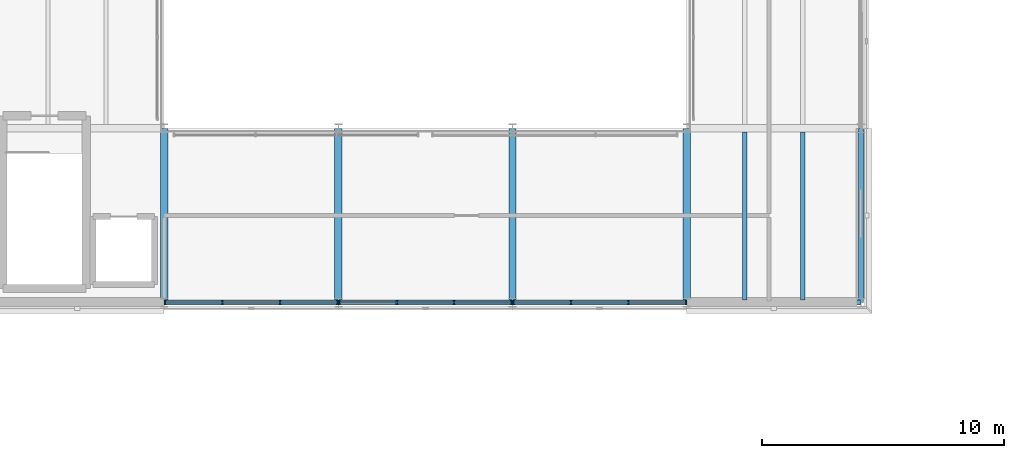
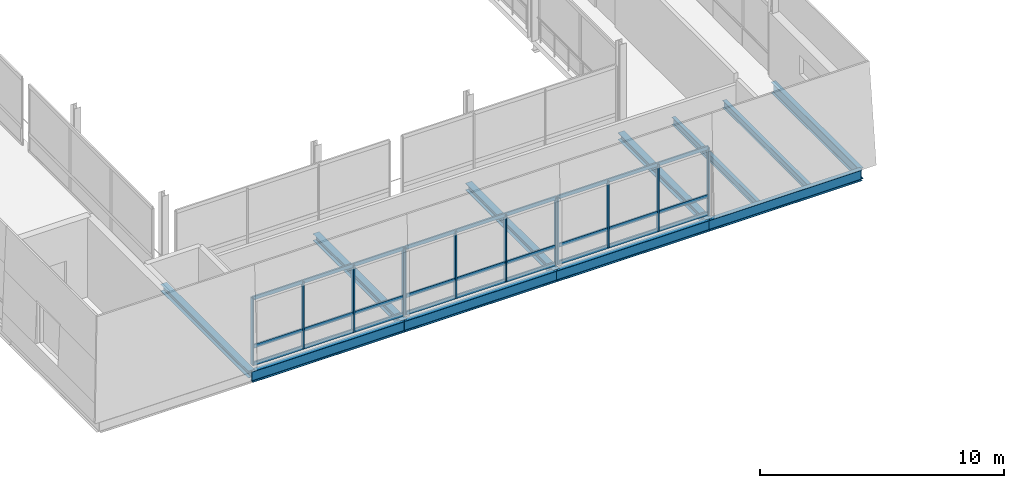
# One storey, part 16 of 91: 21 members, 11 beams, 3 elements without a shape of their own.
"""IFC4 building model written with IfcOpenShell, lengths in metres."""

from ifc_helpers import new_model, si_unit, direction, frame, origin, origin_2d, place, context, subcontext, project, spatial, rectangle, i_section, extrude, material, layer, layer_set, material_profile, profile_set, type_object, element, aggregate, save


model = new_model("IFC4")

# Units and contexts
model_context = context("Model", 3, precision=1e-05, world=origin(), true_north=direction((0.0, 1.0)))
body_context = subcontext(model_context, "Body", "Model", "MODEL_VIEW")
ifc_project = project(units=[si_unit("LENGTHUNIT", "METRE"), si_unit("AREAUNIT", "SQUARE_METRE"), si_unit("VOLUMEUNIT", "CUBIC_METRE"), si_unit("PLANEANGLEUNIT", "RADIAN"), si_unit("MASSUNIT", "GRAM", prefix="KILO")], contexts=[model_context])

# Site, building, storey
site_placement = place(None, origin())
site = spatial("IfcSite", under=ifc_project, at=site_placement, CompositionType="ELEMENT")
building_placement = place(site_placement, origin())
building = spatial("IfcBuilding", under=site, at=building_placement, Name="Narikvali Park Central Library", CompositionType="ELEMENT")
storey_placement = place(building_placement, frame((0.0, 0.0, 14.39990234375)))
storey = spatial("IfcBuildingStorey", under=building, at=storey_placement, Name="L03", CompositionType="ELEMENT", Elevation=14.39990234375)

# Curtain wall, members
ifc_material_1 = material(Name="Anodised Bronze Aluminium", Category="aluminium")
ifc_layer = layer(ifc_material_1, 0.219970703125, Name="Anodised Bronze Aluminium")
ifc_layer_set = layer_set([ifc_layer], Name="Anodised Bronze Aluminium")
curtain_wall_type = type_object("IfcCurtainWallType", Name="Rotunda Drum Clerestory Curtain Wall", PredefinedType="NOTDEFINED", material=ifc_layer_set)
curtain_wall_1_placement = place(storey_placement, origin())
curtain_wall_1 = element("IfcCurtainWall", 1, at=curtain_wall_1_placement, inside=storey, type_object=curtain_wall_type, Name="Rotunda Drum Clerestory Curtain Wall CW-V1-L03-S-02", PredefinedType="NOTDEFINED")
ifc_material_profile_1 = material_profile(ifc_material_1, rectangle(XDim=0.074951171875, YDim=0.179931640625, at=origin_2d()), Name="CW TRANSOM 75x180")
ifc_profile_set_1 = profile_set([ifc_material_profile_1], Name="Anodised Bronze Aluminium")
member_type_1 = type_object("IfcMemberType", Name="Curtain Wall Heavy Transom 75x180", PredefinedType="USERDEFINED", material=ifc_profile_set_1)
member_1_placement = place(storey_placement, frame((72.0380859375, 57.60009765625, 0.030029296875), z_axis=(1.0, 0.0, 0.0), x_axis=(0.0, 1.0, 0.0)))
member_1 = element("IfcMember", 2, at=member_1_placement, type_object=member_type_1, Name="CW-V1-L03-S-02 Transom 00", ObjectType="TRANSOM", PredefinedType="USERDEFINED", context=body_context, shape_type="SweptSolid", body=[
    extrude(rectangle(XDim=0.074951171875, YDim=0.179931640625, at=origin_2d()), origin(), (0.0, 0.0, 1.0), 7.1240234375),
])
member_2_placement = place(storey_placement, frame((72.0380859375, 57.60009765625, 0.900146484375), z_axis=(1.0, 0.0, 0.0), x_axis=(0.0, 1.0, 0.0)))
member_2 = element("IfcMember", 3, at=member_2_placement, type_object=member_type_1, Name="CW-V1-L03-S-02 Transom 01", ObjectType="TRANSOM", PredefinedType="USERDEFINED", context=body_context, shape_type="SweptSolid", body=[
    extrude(rectangle(XDim=0.074951171875, YDim=0.179931640625, at=origin_2d()), origin(), (0.0, 0.0, 1.0), 7.1240234375),
])
member_3_placement = place(storey_placement, frame((72.0380859375, 57.60009765625, 3.31005859375), z_axis=(1.0, 0.0, 0.0), x_axis=(0.0, 1.0, 0.0)))
member_3 = element("IfcMember", 4, at=member_3_placement, type_object=member_type_1, Name="CW-V1-L03-S-02 Transom 02", ObjectType="TRANSOM", PredefinedType="USERDEFINED", context=body_context, shape_type="SweptSolid", body=[
    extrude(rectangle(XDim=0.074951171875, YDim=0.179931640625, at=origin_2d()), origin(), (0.0, 0.0, 1.0), 7.1240234375),
])

curtain_wall_2_placement = place(storey_placement, origin())
curtain_wall_2 = element("IfcCurtainWall", 5, at=curtain_wall_2_placement, inside=storey, type_object=curtain_wall_type, Name="Rotunda Drum Clerestory Curtain Wall CW-V1-L03-S-03", PredefinedType="NOTDEFINED")
member_4_placement = place(storey_placement, frame((79.238037109375, 57.60009765625, 0.030029296875), z_axis=(1.0, 0.0, 0.0), x_axis=(0.0, 1.0, 0.0)))
member_4 = element("IfcMember", 6, at=member_4_placement, type_object=member_type_1, Name="CW-V1-L03-S-03 Transom 00", ObjectType="TRANSOM", PredefinedType="USERDEFINED", context=body_context, shape_type="SweptSolid", body=[
    extrude(rectangle(XDim=0.074951171875, YDim=0.179931640625, at=origin_2d()), origin(), (0.0, 0.0, 1.0), 7.1240234375),
])
member_5_placement = place(storey_placement, frame((79.238037109375, 57.60009765625, 0.900146484375), z_axis=(1.0, 0.0, 0.0), x_axis=(0.0, 1.0, 0.0)))
member_5 = element("IfcMember", 7, at=member_5_placement, type_object=member_type_1, Name="CW-V1-L03-S-03 Transom 01", ObjectType="TRANSOM", PredefinedType="USERDEFINED", context=body_context, shape_type="SweptSolid", body=[
    extrude(rectangle(XDim=0.074951171875, YDim=0.179931640625, at=origin_2d()), origin(), (0.0, 0.0, 1.0), 7.1240234375),
])
member_6_placement = place(storey_placement, frame((79.238037109375, 57.60009765625, 3.31005859375), z_axis=(1.0, 0.0, 0.0), x_axis=(0.0, 1.0, 0.0)))
member_6 = element("IfcMember", 8, at=member_6_placement, type_object=member_type_1, Name="CW-V1-L03-S-03 Transom 02", ObjectType="TRANSOM", PredefinedType="USERDEFINED", context=body_context, shape_type="SweptSolid", body=[
    extrude(rectangle(XDim=0.074951171875, YDim=0.179931640625, at=origin_2d()), origin(), (0.0, 0.0, 1.0), 7.1240234375),
])

curtain_wall_3_placement = place(storey_placement, origin())
curtain_wall_3 = element("IfcCurtainWall", 9, at=curtain_wall_3_placement, inside=storey, type_object=curtain_wall_type, Name="Rotunda Drum Clerestory Curtain Wall CW-V1-L03-S-04", PredefinedType="NOTDEFINED")
member_7_placement = place(storey_placement, frame((86.43798828125, 57.60009765625, 0.030029296875), z_axis=(1.0, 0.0, 0.0), x_axis=(0.0, 1.0, 0.0)))
member_7 = element("IfcMember", 10, at=member_7_placement, type_object=member_type_1, Name="CW-V1-L03-S-04 Transom 00", ObjectType="TRANSOM", PredefinedType="USERDEFINED", context=body_context, shape_type="SweptSolid", body=[
    extrude(rectangle(XDim=0.074951171875, YDim=0.179931640625, at=origin_2d()), origin(), (0.0, 0.0, 1.0), 7.1240234375),
])
member_8_placement = place(storey_placement, frame((86.43798828125, 57.60009765625, 0.900146484375), z_axis=(1.0, 0.0, 0.0), x_axis=(0.0, 1.0, 0.0)))
member_8 = element("IfcMember", 11, at=member_8_placement, type_object=member_type_1, Name="CW-V1-L03-S-04 Transom 01", ObjectType="TRANSOM", PredefinedType="USERDEFINED", context=body_context, shape_type="SweptSolid", body=[
    extrude(rectangle(XDim=0.074951171875, YDim=0.179931640625, at=origin_2d()), origin(), (0.0, 0.0, 1.0), 7.1240234375),
])
member_9_placement = place(storey_placement, frame((86.43798828125, 57.60009765625, 3.31005859375), z_axis=(1.0, 0.0, 0.0), x_axis=(0.0, 1.0, 0.0)))
member_9 = element("IfcMember", 12, at=member_9_placement, type_object=member_type_1, Name="CW-V1-L03-S-04 Transom 02", ObjectType="TRANSOM", PredefinedType="USERDEFINED", context=body_context, shape_type="SweptSolid", body=[
    extrude(rectangle(XDim=0.074951171875, YDim=0.179931640625, at=origin_2d()), origin(), (0.0, 0.0, 1.0), 7.1240234375),
])

# Member
ifc_material_profile_2 = material_profile(ifc_material_1, rectangle(XDim=0.06494140625, YDim=0.179931640625, at=origin_2d()), Name="CW MULLION 65x180")
ifc_profile_set_2 = profile_set([ifc_material_profile_2], Name="Anodised Bronze Aluminium")
member_type_2 = type_object("IfcMemberType", Name="Curtain Wall Mullion 65x180", PredefinedType="MULLION", material=ifc_profile_set_2)
member_10_placement = place(storey_placement, frame((72.0380859375, 57.60009765625, -0.010009765625), z_axis=(0.0, 0.0, 1.0), x_axis=(1.0, 0.0, 0.0)))
member_10 = element("IfcMember", 13, at=member_10_placement, type_object=member_type_2, Name="CW-V1-L03-S-02 Mullion 00", PredefinedType="MULLION", context=body_context, shape_type="SweptSolid", body=[
    extrude(rectangle(XDim=0.06494140625, YDim=0.179931640625, at=origin_2d()), origin(), (0.0, 0.0, 1.0), 3.35009765625),
])

member_11_placement = place(storey_placement, frame((74.41259765625, 57.60009765625, -0.010009765625), z_axis=(0.0, 0.0, 1.0), x_axis=(1.0, 0.0, 0.0)))
member_11 = element("IfcMember", 14, at=member_11_placement, type_object=member_type_2, Name="CW-V1-L03-S-02 Mullion 01", PredefinedType="MULLION", context=body_context, shape_type="SweptSolid", body=[
    extrude(rectangle(XDim=0.06494140625, YDim=0.179931640625, at=origin_2d()), origin(), (0.0, 0.0, 1.0), 3.35009765625),
])

member_12_placement = place(storey_placement, frame((76.787353515625, 57.60009765625, -0.010009765625), z_axis=(0.0, 0.0, 1.0), x_axis=(1.0, 0.0, 0.0)))
member_12 = element("IfcMember", 15, at=member_12_placement, type_object=member_type_2, Name="CW-V1-L03-S-02 Mullion 02", PredefinedType="MULLION", context=body_context, shape_type="SweptSolid", body=[
    extrude(rectangle(XDim=0.06494140625, YDim=0.179931640625, at=origin_2d()), origin(), (0.0, 0.0, 1.0), 3.35009765625),
])

member_13_placement = place(storey_placement, frame((79.162109375, 57.60009765625, -0.010009765625), z_axis=(0.0, 0.0, 1.0), x_axis=(1.0, 0.0, 0.0)))
member_13 = element("IfcMember", 16, at=member_13_placement, type_object=member_type_2, Name="CW-V1-L03-S-02 Mullion 03", PredefinedType="MULLION", context=body_context, shape_type="SweptSolid", body=[
    extrude(rectangle(XDim=0.06494140625, YDim=0.179931640625, at=origin_2d()), origin(), (0.0, 0.0, 1.0), 3.35009765625),
])

aggregate(curtain_wall_1, [member_10, member_11, member_12, member_13, member_1, member_2, member_3])

member_14_placement = place(storey_placement, frame((79.238037109375, 57.60009765625, -0.010009765625), z_axis=(0.0, 0.0, 1.0), x_axis=(1.0, 0.0, 0.0)))
member_14 = element("IfcMember", 17, at=member_14_placement, type_object=member_type_2, Name="CW-V1-L03-S-03 Mullion 00", PredefinedType="MULLION", context=body_context, shape_type="SweptSolid", body=[
    extrude(rectangle(XDim=0.06494140625, YDim=0.179931640625, at=origin_2d()), origin(), (0.0, 0.0, 1.0), 3.35009765625),
])

member_15_placement = place(storey_placement, frame((81.61279296875, 57.60009765625, -0.010009765625), z_axis=(0.0, 0.0, 1.0), x_axis=(1.0, 0.0, 0.0)))
member_15 = element("IfcMember", 18, at=member_15_placement, type_object=member_type_2, Name="CW-V1-L03-S-03 Mullion 01", PredefinedType="MULLION", context=body_context, shape_type="SweptSolid", body=[
    extrude(rectangle(XDim=0.06494140625, YDim=0.179931640625, at=origin_2d()), origin(), (0.0, 0.0, 1.0), 3.35009765625),
])

member_16_placement = place(storey_placement, frame((83.9873046875, 57.60009765625, -0.010009765625), z_axis=(0.0, 0.0, 1.0), x_axis=(1.0, 0.0, 0.0)))
member_16 = element("IfcMember", 19, at=member_16_placement, type_object=member_type_2, Name="CW-V1-L03-S-03 Mullion 02", PredefinedType="MULLION", context=body_context, shape_type="SweptSolid", body=[
    extrude(rectangle(XDim=0.06494140625, YDim=0.179931640625, at=origin_2d()), origin(), (0.0, 0.0, 1.0), 3.35009765625),
])

member_17_placement = place(storey_placement, frame((86.362060546875, 57.60009765625, -0.010009765625), z_axis=(0.0, 0.0, 1.0), x_axis=(1.0, 0.0, 0.0)))
member_17 = element("IfcMember", 20, at=member_17_placement, type_object=member_type_2, Name="CW-V1-L03-S-03 Mullion 03", PredefinedType="MULLION", context=body_context, shape_type="SweptSolid", body=[
    extrude(rectangle(XDim=0.06494140625, YDim=0.179931640625, at=origin_2d()), origin(), (0.0, 0.0, 1.0), 3.35009765625),
])

aggregate(curtain_wall_2, [member_14, member_15, member_16, member_17, member_4, member_5, member_6])

member_18_placement = place(storey_placement, frame((86.43798828125, 57.60009765625, -0.010009765625), z_axis=(0.0, 0.0, 1.0), x_axis=(1.0, 0.0, 0.0)))
member_18 = element("IfcMember", 21, at=member_18_placement, type_object=member_type_2, Name="CW-V1-L03-S-04 Mullion 00", PredefinedType="MULLION", context=body_context, shape_type="SweptSolid", body=[
    extrude(rectangle(XDim=0.06494140625, YDim=0.179931640625, at=origin_2d()), origin(), (0.0, 0.0, 1.0), 3.35009765625),
])

member_19_placement = place(storey_placement, frame((88.812744140625, 57.60009765625, -0.010009765625), z_axis=(0.0, 0.0, 1.0), x_axis=(1.0, 0.0, 0.0)))
member_19 = element("IfcMember", 22, at=member_19_placement, type_object=member_type_2, Name="CW-V1-L03-S-04 Mullion 01", PredefinedType="MULLION", context=body_context, shape_type="SweptSolid", body=[
    extrude(rectangle(XDim=0.06494140625, YDim=0.179931640625, at=origin_2d()), origin(), (0.0, 0.0, 1.0), 3.35009765625),
])

member_20_placement = place(storey_placement, frame((91.187255859375, 57.60009765625, -0.010009765625), z_axis=(0.0, 0.0, 1.0), x_axis=(1.0, 0.0, 0.0)))
member_20 = element("IfcMember", 23, at=member_20_placement, type_object=member_type_2, Name="CW-V1-L03-S-04 Mullion 02", PredefinedType="MULLION", context=body_context, shape_type="SweptSolid", body=[
    extrude(rectangle(XDim=0.06494140625, YDim=0.179931640625, at=origin_2d()), origin(), (0.0, 0.0, 1.0), 3.35009765625),
])

member_21_placement = place(storey_placement, frame((93.56201171875, 57.60009765625, -0.010009765625), z_axis=(0.0, 0.0, 1.0), x_axis=(1.0, 0.0, 0.0)))
member_21 = element("IfcMember", 24, at=member_21_placement, type_object=member_type_2, Name="CW-V1-L03-S-04 Mullion 03", PredefinedType="MULLION", context=body_context, shape_type="SweptSolid", body=[
    extrude(rectangle(XDim=0.06494140625, YDim=0.179931640625, at=origin_2d()), origin(), (0.0, 0.0, 1.0), 3.35009765625),
])

aggregate(curtain_wall_3, [member_18, member_19, member_20, member_21, member_7, member_8, member_9])

# Beams
ifc_material_2 = material(Name="Steel S355", Category="steel")
ifc_material_profile_3 = material_profile(ifc_material_2, i_section(OverallWidth=0.2099609375, OverallDepth=0.550048828125, WebThickness=0.010986328125, FlangeThickness=0.01708984375, FilletRadius=0.02392578125, at=origin_2d()), Name="IPE 550")
ifc_profile_set_3 = profile_set([ifc_material_profile_3], Name="Steel S355")
beam_type_1 = type_object("IfcBeamType", Name="Perimeter Spandrel IPE550", PredefinedType="SPANDREL", material=ifc_profile_set_3)
beam_placement = place(storey_placement, frame((72.008056640625, 57.60009765625, -0.554931640625), z_axis=(1.0, 0.0, 0.0), x_axis=(0.0, 1.0, 0.0)))
element("IfcBeam", 25, at=beam_placement, inside=storey, type_object=beam_type_1, Name="V1 L03 Girder X", PredefinedType="SPANDREL", context=body_context, shape_type="SweptSolid", body=[
    extrude(i_section(OverallWidth=0.2099609375, OverallDepth=0.550048828125, WebThickness=0.010986328125, FlangeThickness=0.01708984375, FilletRadius=0.02392578125, at=origin_2d()), origin(), (0.0, 0.0, 1.0), 7.183837890625),
])
for number, where, z_axis, x_axis, name in (
    (26, (79.2080078125, 57.60009765625, -0.554931640625), (1.0, 0.0, 0.0), (0.0, 1.0, 0.0), "V1 L03 Girder X"),
    (27, (86.407958984375, 57.60009765625, -0.554931640625), (1.0, 0.0, 0.0), (0.0, 1.0, 0.0), "V1 L03 Girder X"),
    (28, (93.60791015625, 57.60009765625, -0.554931640625), (1.0, 0.0, 0.0), (0.0, 1.0, 0.0), "V1 L03 Girder X"),
    (29, (100.800048828125, 57.60791015625, -0.554931640625), (0.0, 1.0, 0.0), (-1.0, 0.0, 0.0), "V1 L03 Girder Y"),
):
    element("IfcBeam", number, at=place(storey_placement, frame(where, z_axis=z_axis, x_axis=x_axis)), inside=storey, type_object=beam_type_1, Name=name, PredefinedType="SPANDREL", context=body_context, shape_type="SweptSolid", body=[
        extrude(i_section(OverallWidth=0.2099609375, OverallDepth=0.550048828125, WebThickness=0.010986328125, FlangeThickness=0.01708984375, FilletRadius=0.02392578125, at=origin_2d()), origin(), (0.0, 0.0, 1.0), 7.18408203125),
    ])
ifc_material_profile_4 = material_profile(ifc_material_2, i_section(OverallWidth=0.300048828125, OverallDepth=0.35009765625, WebThickness=0.010009765625, FlangeThickness=0.017578125, FilletRadius=0.027099609375, at=origin_2d()), Name="HEA 360")
ifc_profile_set_4 = profile_set([ifc_material_profile_4], Name="Steel S355")
beam_type_2 = type_object("IfcBeamType", Name="Primary Girder HEA360", PredefinedType="BEAM", material=ifc_profile_set_4)
for number, where, z_axis, x_axis, name in (
    (30, (72.0, 57.60791015625, -0.454833984375), (0.0, 1.0, 0.0), (-1.0, 0.0, 0.0), "V1 L03 Girder Y"),
    (31, (79.199951171875, 57.60791015625, -0.454833984375), (0.0, 1.0, 0.0), (-1.0, 0.0, 0.0), "V1 L03 Girder Y"),
    (32, (86.39990234375, 57.60791015625, -0.454833984375), (0.0, 1.0, 0.0), (-1.0, 0.0, 0.0), "V1 L03 Girder Y"),
    (33, (93.60009765625, 57.60791015625, -0.454833984375), (0.0, 1.0, 0.0), (-1.0, 0.0, 0.0), "V1 L03 Girder Y"),
):
    element("IfcBeam", number, at=place(storey_placement, frame(where, z_axis=z_axis, x_axis=x_axis)), inside=storey, type_object=beam_type_2, Name=name, PredefinedType="BEAM", context=body_context, shape_type="SweptSolid", body=[
        extrude(i_section(OverallWidth=0.300048828125, OverallDepth=0.35009765625, WebThickness=0.010009765625, FlangeThickness=0.017578125, FilletRadius=0.027099609375, at=origin_2d()), origin(), (0.0, 0.0, 1.0), 7.18408203125),
    ])
ifc_material_profile_5 = material_profile(ifc_material_2, i_section(OverallWidth=0.172119140625, OverallDepth=0.364013671875, WebThickness=0.00927734375, FlangeThickness=0.0146484375, FilletRadius=0.01806640625, at=origin_2d()), Name="IPEO 360")
ifc_profile_set_5 = profile_set([ifc_material_profile_5], Name="Steel S355")
beam_type_3 = type_object("IfcBeamType", Name="Upper Study Joist IPEO360", PredefinedType="JOIST", material=ifc_profile_set_5)
for number, where, z_axis, x_axis, name in (
    (34, (96.0, 57.705078125, -0.4619140625), (0.0, 1.0, 0.0), (-1.0, 0.0, 0.0), "V1 L03 Composite Joist 1"),
    (35, (98.39990234375, 57.705078125, -0.4619140625), (0.0, 1.0, 0.0), (-1.0, 0.0, 0.0), "V1 L03 Composite Joist 2"),
):
    element("IfcBeam", number, at=place(storey_placement, frame(where, z_axis=z_axis, x_axis=x_axis)), inside=storey, type_object=beam_type_3, Name=name, PredefinedType="JOIST", context=body_context, shape_type="SweptSolid", body=[
        extrude(i_section(OverallWidth=0.172119140625, OverallDepth=0.364013671875, WebThickness=0.00927734375, FlangeThickness=0.0146484375, FilletRadius=0.01806640625, at=origin_2d()), origin(), (0.0, 0.0, 1.0), 6.94482421875),
    ])

save(model, "model.ifc")
